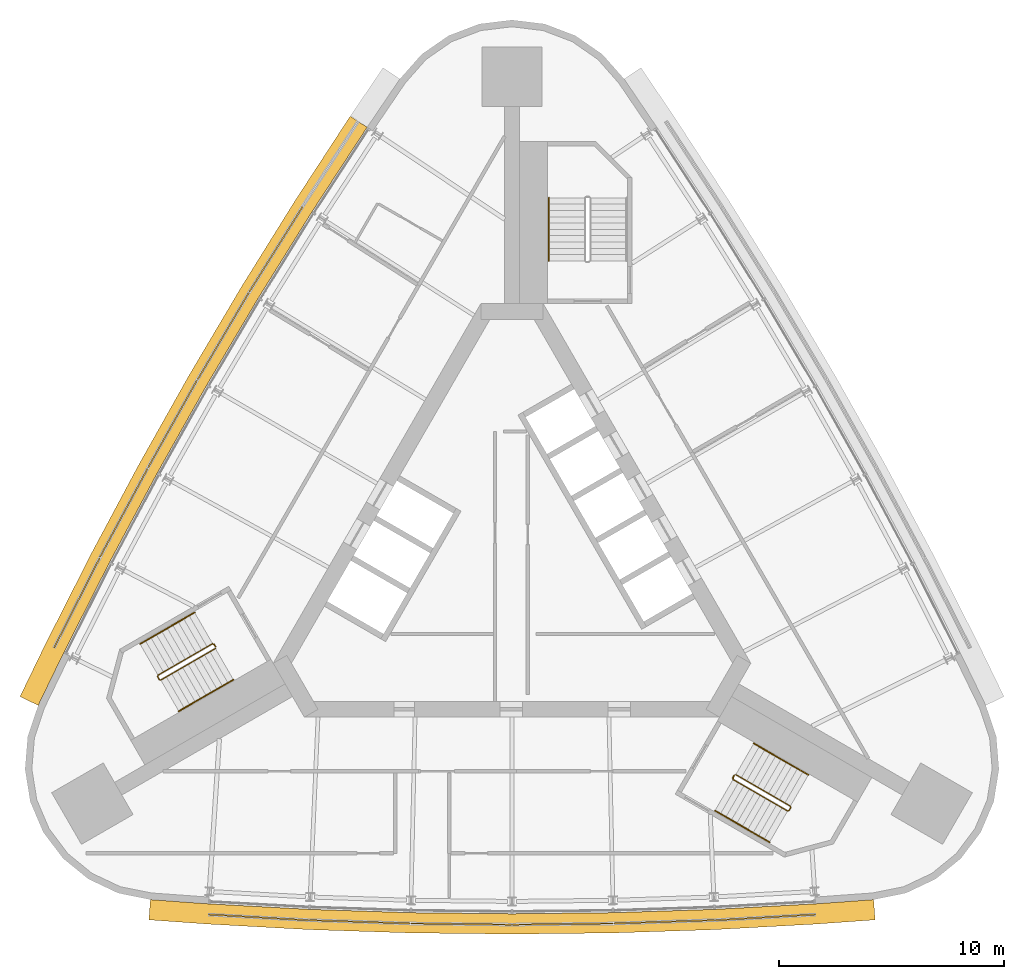
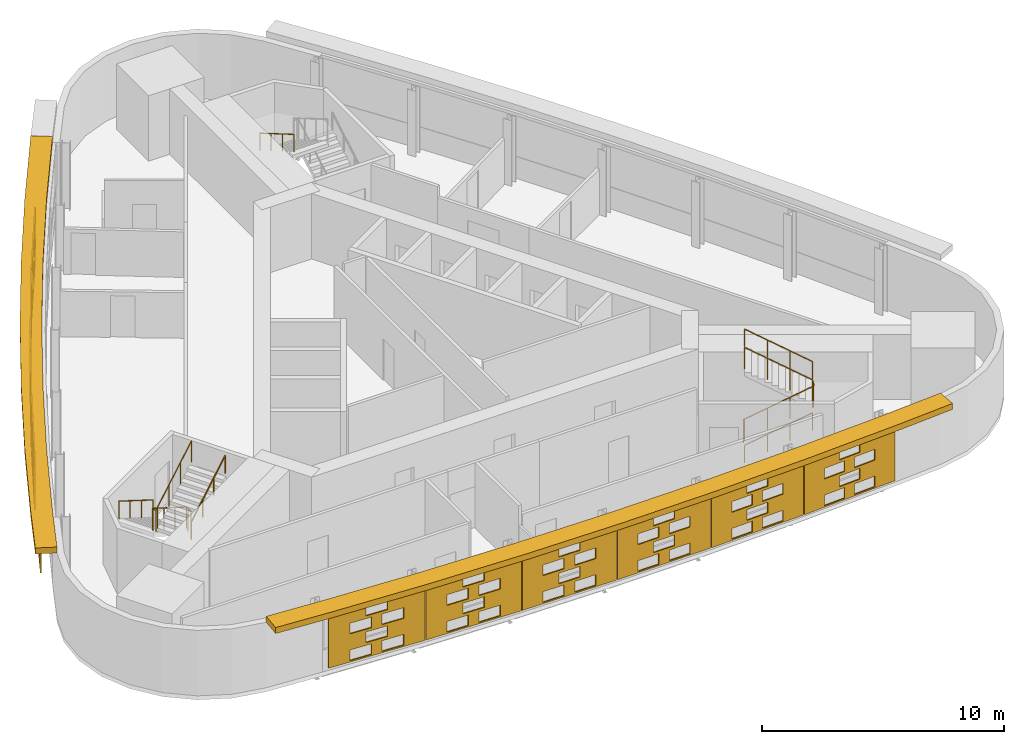
# One storey, part 10 of 11: 13 shading devices, 7 railings.
"""IFC4 building model written with IfcOpenShell, lengths in metres."""

import ifcopenshell
import ifcopenshell.guid

model = None  # the IFC model being written
_history = None  # IfcOwnerHistory: only IFC2X3 demands one
_inside = {}  # id of a spatial element -> (the spatial element, [elements in it])
_under = {}  # id of a project, library or spatial element -> (it, [spatial elements below it])
_declared = {}  # id of a project -> (the project, [libraries it declares])
_typed = {}  # id of a type object -> (the type object, [elements of that type])
_made_of = {}  # id of a material, layer set ... -> (it, [elements and type objects made of it])


def new_model(schema):
    """Start an empty IFC model of exactly this schema.

    Asked for "IFC4X3", IfcOpenShell would pick the latest addendum, in which some entities
    have other attributes; the version numbers below select the first issue.
    IFC2X3 requires an IfcOwnerHistory on every rooted entity: one is made here for all.
    """
    global model, _history
    if schema == "IFC4X3":
        model = ifcopenshell.file(schema_version=(4, 3, 0, 0))
    else:
        model = ifcopenshell.file(schema=schema)
    _inside.clear()
    _under.clear()
    _declared.clear()
    _typed.clear()
    _made_of.clear()
    _history = None
    if model.schema == "IFC2X3":
        org = make("IfcOrganization", Name="unknown")
        user = make(
            "IfcPersonAndOrganization",
            ThePerson=make("IfcPerson", FamilyName="unknown"),
            TheOrganization=org,
        )
        app = make(
            "IfcApplication",
            ApplicationDeveloper=org,
            Version="unknown",
            ApplicationFullName="unknown",
            ApplicationIdentifier="unknown",
        )
        _history = make(
            "IfcOwnerHistory",
            OwningUser=user,
            OwningApplication=app,
            ChangeAction="ADDED",
            CreationDate=0,
        )
    return model


def make(cls, **values):
    """One entity of the class cls with the attributes given. An attribute that is None is left unset."""
    return model.create_entity(
        cls, **{name: value for name, value in values.items() if value is not None}
    )


def rooted(cls, **values):
    """An entity with a GlobalId (a new one), such as an element, a storey or a relation."""
    return make(cls, GlobalId=ifcopenshell.guid.new(), OwnerHistory=_history, **values)


def si_unit(unit_type, name, prefix=None):
    """IfcSIUnit, for example si_unit("LENGTHUNIT", "METRE", prefix="MILLI")."""
    return make("IfcSIUnit", UnitType=unit_type, Prefix=prefix, Name=name)


def assignment(units):
    """IfcUnitAssignment: the units of a project."""
    return None if units is None else make("IfcUnitAssignment", Units=units)


def point(xyz):
    """IfcCartesianPoint."""
    return None if xyz is None else make("IfcCartesianPoint", Coordinates=xyz)


def direction(xyz):
    """IfcDirection."""
    return None if xyz is None else make("IfcDirection", DirectionRatios=xyz)


def frame(location, z_axis=None, x_axis=None):
    """IfcAxis2Placement3D, a coordinate frame: its origin and axes. An axis left out is left unset."""
    return make(
        "IfcAxis2Placement3D",
        Location=point(location),
        Axis=direction(z_axis),
        RefDirection=direction(x_axis),
    )


def frame_2d(location, x_axis=None):
    """IfcAxis2Placement2D, a coordinate frame in the plane: its origin and x axis."""
    return make(
        "IfcAxis2Placement2D", Location=point(location), RefDirection=direction(x_axis)
    )


def origin():
    """The frame at (0, 0, 0) with its axes left unset."""
    return frame((0.0, 0.0, 0.0))


def origin_2d():
    """The frame at (0, 0) in the plane with its x axis left unset."""
    return frame_2d((0.0, 0.0))


def place(relative_to, where):
    """IfcLocalPlacement: puts the frame where relative to a parent placement (None: the world)."""
    return make(
        "IfcLocalPlacement", PlacementRelTo=relative_to, RelativePlacement=where
    )


def context(
    kind, dimensions, precision=None, world=None, true_north=None, identifier=None
):
    """IfcGeometricRepresentationContext, for example the 3D "Model" context."""
    return make(
        "IfcGeometricRepresentationContext",
        ContextIdentifier=identifier,
        ContextType=kind,
        CoordinateSpaceDimension=dimensions,
        Precision=precision,
        WorldCoordinateSystem=world,
        TrueNorth=true_north,
    )


def subcontext(parent, identifier, kind, view, scale=None):
    """IfcGeometricRepresentationSubContext, for example "Body" below "Model"."""
    return make(
        "IfcGeometricRepresentationSubContext",
        ContextIdentifier=identifier,
        ContextType=kind,
        ParentContext=parent,
        TargetScale=scale,
        TargetView=view,
    )


def project(units=None, contexts=None):
    """IfcProject with its units and contexts."""
    return rooted(
        "IfcProject",
        Name="project",
        RepresentationContexts=contexts,
        UnitsInContext=assignment(units),
    )


def spatial(cls, under=None, at=None, **own):
    """A site, building, storey or space (cls), placed at a placement, below another one or the project."""
    s = rooted(cls, ObjectPlacement=at, **own)
    if under is not None:
        _under.setdefault(under.id(), (under, []))[1].append(s)
    return s


def polyline(points):
    """IfcPolyline through the points."""
    return make("IfcPolyline", Points=[point(p) for p in points])


def profile(cls, at=None, kind="AREA", **sizes):
    """A parametric profile (cls). Its sizes go by their IFC names, for example OverallWidth=200.0."""
    return make(cls, ProfileType=kind, Position=at, **sizes)


def circle(**sizes):
    """IfcCircleProfileDef."""
    return profile("IfcCircleProfileDef", **sizes)


def outline(outer, holes=None, kind="AREA"):
    """IfcArbitraryClosedProfileDef: a profile drawn as a closed curve; with holes, ...WithVoids."""
    if holes is None:
        return make("IfcArbitraryClosedProfileDef", ProfileType=kind, OuterCurve=outer)
    return make(
        "IfcArbitraryProfileDefWithVoids",
        ProfileType=kind,
        OuterCurve=outer,
        InnerCurves=holes,
    )


def extrude(swept, where, along, depth):
    """IfcExtrudedAreaSolid: the profile swept, set in the frame where, extruded along a direction by depth."""
    return make(
        "IfcExtrudedAreaSolid",
        SweptArea=swept,
        Position=where,
        ExtrudedDirection=direction(along),
        Depth=depth,
    )


def shape(context_of_items, identifier, shape_type, items):
    """IfcShapeRepresentation: the items that make up one representation, for example the "Body"."""
    return make(
        "IfcShapeRepresentation",
        ContextOfItems=context_of_items,
        RepresentationIdentifier=identifier,
        RepresentationType=shape_type,
        Items=items,
    )


def material(Name=None, Category=None):
    """IfcMaterial."""
    return make("IfcMaterial", Name=Name, Category=Category)


def material_profile(
    of_material, cross_section, Name=None, Category=None, Priority=None
):
    """IfcMaterialProfile: a cross section and its material."""
    return make(
        "IfcMaterialProfile",
        Name=Name,
        Material=of_material,
        Profile=cross_section,
        Priority=Priority,
        Category=Category,
    )


def profile_set(profiles, Name=None, composite=None):
    """IfcMaterialProfileSet."""
    return make(
        "IfcMaterialProfileSet",
        Name=Name,
        MaterialProfiles=profiles,
        CompositeProfile=composite,
    )


def made_of(thing, what):
    """Note that an element or type object is made of a material, layer set ...; save() writes the relation."""
    if what is not None:
        _made_of.setdefault(what.id(), (what, []))[1].append(thing)
    return thing


def type_object(cls, material=None, **own):
    """A type object (cls), such as IfcWallType, which elements share."""
    return made_of(rooted(cls, **own), material)


def element(
    cls,
    number,
    at=None,
    inside=None,
    cuts=None,
    type_object=None,
    material=None,
    context=None,
    identifier="Body",
    shape_type=None,
    held_by="IfcProductDefinitionShape",
    body=None,
    shapes=None,
    **own,
):
    """One element of the class cls, such as IfcWall. Its Tag is "e" and its number.

    at: its placement. inside: the storey or other place that contains it. cuts: it is an
    opening in that element (IfcRelVoidsElement). A single representation is given by context,
    identifier, shape_type and body (its items); several are given by shapes. held_by: the class
    of the entity that holds the representations. save() writes the other relations.
    """
    e = rooted(cls, Tag="e%d" % number, ObjectPlacement=at, **own)
    if body is not None:
        shapes = [shape(context, identifier, shape_type, body)]
    if shapes is not None:
        e.Representation = make(held_by, Representations=shapes)
    if inside is not None:
        _inside.setdefault(inside.id(), (inside, []))[1].append(e)
    if cuts is not None:
        rooted(
            "IfcRelVoidsElement", RelatingBuildingElement=cuts, RelatedOpeningElement=e
        )
    if type_object is not None:
        _typed.setdefault(type_object.id(), (type_object, []))[1].append(e)
    return made_of(e, material)


def aggregate(whole, parts):
    """IfcRelAggregates: a whole, such as a stair, and the parts it consists of."""
    return rooted("IfcRelAggregates", RelatingObject=whole, RelatedObjects=parts)


def save(model, path):
    """Write the relations noted so far, then the file.

    IfcRelAggregates (storeys below a building ...), IfcRelContainedInSpatialStructure (elements
    in a storey), IfcRelDefinesByType, IfcRelAssociatesMaterial and IfcRelDeclares: one each for
    every whole, place, type object, material and project.
    """
    for whole, parts in _under.values():
        aggregate(whole, parts)
    for where, things in _inside.values():
        rooted(
            "IfcRelContainedInSpatialStructure",
            RelatedElements=things,
            RelatingStructure=where,
        )
    for kind, things in _typed.values():
        rooted("IfcRelDefinesByType", RelatedObjects=things, RelatingType=kind)
    for what, things in _made_of.values():
        rooted("IfcRelAssociatesMaterial", RelatedObjects=things, RelatingMaterial=what)
    for by, libraries in _declared.values():
        rooted("IfcRelDeclares", RelatingContext=by, RelatedDefinitions=libraries)
    model.write(path)


model = new_model("IFC4")

# Units and contexts
model_context = context("Model", 3, precision=1e-05, world=origin(), true_north=direction((0.0, 1.0)))
body_context = subcontext(model_context, "Body", "Model", "MODEL_VIEW")
ifc_project = project(units=[si_unit("LENGTHUNIT", "METRE"), si_unit("AREAUNIT", "SQUARE_METRE"), si_unit("VOLUMEUNIT", "CUBIC_METRE"), si_unit("PLANEANGLEUNIT", "RADIAN"), si_unit("MASSUNIT", "GRAM", prefix="KILO")], contexts=[model_context])

# Site, building, storey
site_placement = place(None, origin())
site = spatial("IfcSite", under=ifc_project, at=site_placement, CompositionType="ELEMENT")
building_placement = place(site_placement, origin())
building = spatial("IfcBuilding", under=site, at=building_placement, Name="Noor Cloister Tower", CompositionType="ELEMENT")
storey_placement = place(building_placement, frame((0.0, 0.0, 206.699951171875)))
storey = spatial("IfcBuildingStorey", under=building, at=storey_placement, Name="L53", CompositionType="ELEMENT", Elevation=206.699951171875)

# Shading devices
ifc_material_1 = material(Name="Limestone", Category="masonry")
ifc_material_profile = material_profile(ifc_material_1, outline(polyline([(-2.22998046875, -1.35009765625), (2.22998046875, -1.35009765625), (2.22998046875, 1.35009765625), (-2.22998046875, 1.35009765625), (-2.22998046875, -1.35009765625)]), holes=[polyline([(-1.25, -1.282470703125), (-0.25, -1.282470703125), (-0.25, -0.742431640625), (-1.25, -0.742431640625), (-1.25, -1.282470703125)]), polyline([(0.25, -1.282470703125), (1.25, -1.282470703125), (1.25, -0.742431640625), (0.25, -0.742431640625), (0.25, -1.282470703125)]), polyline([(-0.5, -0.607421875), (0.5, -0.607421875), (0.5, -0.0673828125), (-0.5, -0.0673828125), (-0.5, -0.607421875)]), polyline([(-1.25, 0.0673828125), (-0.25, 0.0673828125), (-0.25, 0.607421875), (-1.25, 0.607421875), (-1.25, 0.0673828125)]), polyline([(0.25, 0.0673828125), (1.25, 0.0673828125), (1.25, 0.607421875), (0.25, 0.607421875), (0.25, 0.0673828125)]), polyline([(-0.5, 0.742431640625), (0.5, 0.742431640625), (0.5, 1.282470703125), (-0.5, 1.282470703125), (-0.5, 0.742431640625)])]), Name="Woven screen 32 percent open")
ifc_profile_set = profile_set([ifc_material_profile], Name="Limestone")
shading_device_type_1 = type_object("IfcShadingDeviceType", Name="SCREEN woven limestone 32 percent open", PredefinedType="USERDEFINED", material=ifc_profile_set)
shading_device_1_placement = place(storey_placement, frame((-10.46923828125, 13.853759765625, 1.85009765625), z_axis=(-0.847998304005, 0.529998940003, 0.0), x_axis=(-0.529998940003, -0.847998304005, 0.0)))
element("IfcShadingDevice", 1, at=shading_device_1_placement, inside=storey, type_object=shading_device_type_1, Name="SCREEN L53 2", ObjectType="SCREEN", PredefinedType="USERDEFINED", context=body_context, shape_type="SweptSolid", body=[
    extrude(outline(polyline([(-2.22998046875, -1.35009765625), (2.22998046875, -1.35009765625), (2.22998046875, 1.35009765625), (-2.22998046875, 1.35009765625), (-2.22998046875, -1.35009765625)]), holes=[polyline([(-1.25, -1.282470703125), (-0.25, -1.282470703125), (-0.25, -0.742431640625), (-1.25, -0.742431640625), (-1.25, -1.282470703125)]), polyline([(0.25, -1.282470703125), (1.25, -1.282470703125), (1.25, -0.742431640625), (0.25, -0.742431640625), (0.25, -1.282470703125)]), polyline([(-0.5, -0.607421875), (0.5, -0.607421875), (0.5, -0.0673828125), (-0.5, -0.0673828125), (-0.5, -0.607421875)]), polyline([(-1.25, 0.0673828125), (-0.25, 0.0673828125), (-0.25, 0.607421875), (-1.25, 0.607421875), (-1.25, 0.0673828125)]), polyline([(0.25, 0.0673828125), (1.25, 0.0673828125), (1.25, 0.607421875), (0.25, 0.607421875), (0.25, 0.0673828125)]), polyline([(-0.5, 0.742431640625), (0.5, 0.742431640625), (0.5, 1.282470703125), (-0.5, 1.282470703125), (-0.5, 0.742431640625)])]), origin(), (0.0, 0.0, 1.0), 0.059814453125),
])
shading_device_2_placement = place(storey_placement, frame((-12.808837890625, 9.998779296875, 1.85009765625), z_axis=(-0.86141148773, 0.507907716822, 0.0), x_axis=(-0.507907716822, -0.86141148773, 0.0)))
element("IfcShadingDevice", 2, at=shading_device_2_placement, inside=storey, type_object=shading_device_type_1, Name="SCREEN L53 3", ObjectType="SCREEN", PredefinedType="USERDEFINED", context=body_context, shape_type="SweptSolid", body=[
    extrude(outline(polyline([(-2.22998046875, -1.35009765625), (2.22998046875, -1.35009765625), (2.22998046875, 1.35009765625), (-2.22998046875, 1.35009765625), (-2.22998046875, -1.35009765625)]), holes=[polyline([(-1.25, -1.282470703125), (-0.25, -1.282470703125), (-0.25, -0.742431640625), (-1.25, -0.742431640625), (-1.25, -1.282470703125)]), polyline([(0.25, -1.282470703125), (1.25, -1.282470703125), (1.25, -0.742431640625), (0.25, -0.742431640625), (0.25, -1.282470703125)]), polyline([(-0.5, -0.607421875), (0.5, -0.607421875), (0.5, -0.0673828125), (-0.5, -0.0673828125), (-0.5, -0.607421875)]), polyline([(-1.25, 0.0673828125), (-0.25, 0.0673828125), (-0.25, 0.607421875), (-1.25, 0.607421875), (-1.25, 0.0673828125)]), polyline([(0.25, 0.0673828125), (1.25, 0.0673828125), (1.25, 0.607421875), (0.25, 0.607421875), (0.25, 0.0673828125)]), polyline([(-0.5, 0.742431640625), (0.5, 0.742431640625), (0.5, 1.282470703125), (-0.5, 1.282470703125), (-0.5, 0.742431640625)])]), origin(), (0.0, 0.0, 1.0), 0.06005859375),
])
for number, where, z_axis, x_axis, name in (
    (3, (-15.063720703125, 6.093505859375, 1.85009765625), (-0.872227864306, 0.489099736994, 0.0), (-0.489099736994, -0.872227864306, 0.0), "SCREEN L53 4"),
    (4, (-17.232421875, 2.1396484375, 1.85009765625), (-0.880994429299, 0.473126637957, 0.0), (-0.473126637957, -0.880994429299, 0.0), "SCREEN L53 5"),
):
    element("IfcShadingDevice", number, at=place(storey_placement, frame(where, z_axis=z_axis, x_axis=x_axis)), inside=storey, type_object=shading_device_type_1, Name=name, ObjectType="SCREEN", PredefinedType="USERDEFINED", context=body_context, shape_type="SweptSolid", body=[
        extrude(outline(polyline([(-2.22998046875, -1.35009765625), (2.22998046875, -1.35009765625), (2.22998046875, 1.35009765625), (-2.22998046875, 1.35009765625), (-2.22998046875, -1.35009765625)]), holes=[polyline([(-1.25, -1.282470703125), (-0.25, -1.282470703125), (-0.25, -0.742431640625), (-1.25, -0.742431640625), (-1.25, -1.282470703125)]), polyline([(0.25, -1.282470703125), (1.25, -1.282470703125), (1.25, -0.742431640625), (0.25, -0.742431640625), (0.25, -1.282470703125)]), polyline([(-0.5, -0.607421875), (0.5, -0.607421875), (0.5, -0.0673828125), (-0.5, -0.0673828125), (-0.5, -0.607421875)]), polyline([(-1.25, 0.0673828125), (-0.25, 0.0673828125), (-0.25, 0.607421875), (-1.25, 0.607421875), (-1.25, 0.0673828125)]), polyline([(0.25, 0.0673828125), (1.25, 0.0673828125), (1.25, 0.607421875), (0.25, 0.607421875), (0.25, 0.0673828125)]), polyline([(-0.5, 0.742431640625), (0.5, 0.742431640625), (0.5, 1.282470703125), (-0.5, 1.282470703125), (-0.5, 0.742431640625)])]), origin(), (0.0, 0.0, 1.0), 0.059814453125),
    ])
shading_device_3_placement = place(storey_placement, frame((-19.31396484375, -1.860595703125, 1.85009765625), z_axis=(-0.891970083601, 0.452094425935, 0.0), x_axis=(-0.452094425935, -0.891970083601, 0.0)))
element("IfcShadingDevice", 5, at=shading_device_3_placement, inside=storey, type_object=shading_device_type_1, Name="SCREEN L53 6", ObjectType="SCREEN", PredefinedType="USERDEFINED", context=body_context, shape_type="SweptSolid", body=[
    extrude(outline(polyline([(-2.22998046875, -1.35009765625), (2.22998046875, -1.35009765625), (2.22998046875, 1.35009765625), (-2.22998046875, 1.35009765625), (-2.22998046875, -1.35009765625)]), holes=[polyline([(-1.25, -1.282470703125), (-0.25, -1.282470703125), (-0.25, -0.742431640625), (-1.25, -0.742431640625), (-1.25, -1.282470703125)]), polyline([(0.25, -1.282470703125), (1.25, -1.282470703125), (1.25, -0.742431640625), (0.25, -0.742431640625), (0.25, -1.282470703125)]), polyline([(-0.5, -0.607421875), (0.5, -0.607421875), (0.5, -0.0673828125), (-0.5, -0.0673828125), (-0.5, -0.607421875)]), polyline([(-1.25, 0.0673828125), (-0.25, 0.0673828125), (-0.25, 0.607421875), (-1.25, 0.607421875), (-1.25, 0.0673828125)]), polyline([(0.25, 0.0673828125), (1.25, 0.0673828125), (1.25, 0.607421875), (0.25, 0.607421875), (0.25, 0.0673828125)]), polyline([(-0.5, 0.742431640625), (0.5, 0.742431640625), (0.5, 1.282470703125), (-0.5, 1.282470703125), (-0.5, 0.742431640625)])]), origin(), (0.0, 0.0, 1.0), 0.06005859375),
])
shading_device_4_placement = place(storey_placement, frame((-11.268310546875, -15.796142578125, 1.85009765625), z_axis=(-0.057049790539, -0.998371334424, 0.0), x_axis=(0.998371334424, -0.057049790539, 0.0)))
element("IfcShadingDevice", 6, at=shading_device_4_placement, inside=storey, type_object=shading_device_type_1, Name="SCREEN L53 1", ObjectType="SCREEN", PredefinedType="USERDEFINED", context=body_context, shape_type="SweptSolid", body=[
    extrude(outline(polyline([(-2.22998046875, -1.35009765625), (2.22998046875, -1.35009765625), (2.22998046875, 1.35009765625), (-2.22998046875, 1.35009765625), (-2.22998046875, -1.35009765625)]), holes=[polyline([(-1.25, -1.282470703125), (-0.25, -1.282470703125), (-0.25, -0.742431640625), (-1.25, -0.742431640625), (-1.25, -1.282470703125)]), polyline([(0.25, -1.282470703125), (1.25, -1.282470703125), (1.25, -0.742431640625), (0.25, -0.742431640625), (0.25, -1.282470703125)]), polyline([(-0.5, -0.607421875), (0.5, -0.607421875), (0.5, -0.0673828125), (-0.5, -0.0673828125), (-0.5, -0.607421875)]), polyline([(-1.25, 0.0673828125), (-0.25, 0.0673828125), (-0.25, 0.607421875), (-1.25, 0.607421875), (-1.25, 0.0673828125)]), polyline([(0.25, 0.0673828125), (1.25, 0.0673828125), (1.25, 0.607421875), (0.25, 0.607421875), (0.25, 0.0673828125)]), polyline([(-0.5, 0.742431640625), (0.5, 0.742431640625), (0.5, 1.282470703125), (-0.5, 1.282470703125), (-0.5, 0.742431640625)])]), origin(), (0.0, 0.0, 1.0), 0.059814453125),
])
shading_device_5_placement = place(storey_placement, frame((-6.76318359375, -15.993408203125, 1.85009765625), z_axis=(-0.032503142546, -0.999471633277, 0.0), x_axis=(0.999471633277, -0.032503142546, 0.0)))
element("IfcShadingDevice", 7, at=shading_device_5_placement, inside=storey, type_object=shading_device_type_1, Name="SCREEN L53 2", ObjectType="SCREEN", PredefinedType="USERDEFINED", context=body_context, shape_type="SweptSolid", body=[
    extrude(outline(polyline([(-2.22998046875, -1.35009765625), (2.22998046875, -1.35009765625), (2.22998046875, 1.35009765625), (-2.22998046875, 1.35009765625), (-2.22998046875, -1.35009765625)]), holes=[polyline([(-1.25, -1.282470703125), (-0.25, -1.282470703125), (-0.25, -0.742431640625), (-1.25, -0.742431640625), (-1.25, -1.282470703125)]), polyline([(0.25, -1.282470703125), (1.25, -1.282470703125), (1.25, -0.742431640625), (0.25, -0.742431640625), (0.25, -1.282470703125)]), polyline([(-0.5, -0.607421875), (0.5, -0.607421875), (0.5, -0.0673828125), (-0.5, -0.0673828125), (-0.5, -0.607421875)]), polyline([(-1.25, 0.0673828125), (-0.25, 0.0673828125), (-0.25, 0.607421875), (-1.25, 0.607421875), (-1.25, 0.0673828125)]), polyline([(0.25, 0.0673828125), (1.25, 0.0673828125), (1.25, 0.607421875), (0.25, 0.607421875), (0.25, 0.0673828125)]), polyline([(-0.5, 0.742431640625), (0.5, 0.742431640625), (0.5, 1.282470703125), (-0.5, 1.282470703125), (-0.5, 0.742431640625)])]), origin(), (0.0, 0.0, 1.0), 0.06005859375),
])
for number, where, z_axis, x_axis, name in (
    (8, (-2.254638671875, -16.09228515625, 1.85009765625), (-0.012243980078, -0.999925039666, 0.0), (0.999925039666, -0.012243980078, 0.0), "SCREEN L53 3"),
    (9, (2.254638671875, -16.09228515625, 1.85009765625), (0.012243980078, -0.999925039666, 0.0), (0.999925039666, 0.012243980078, 0.0), "SCREEN L53 4"),
):
    element("IfcShadingDevice", number, at=place(storey_placement, frame(where, z_axis=z_axis, x_axis=x_axis)), inside=storey, type_object=shading_device_type_1, Name=name, ObjectType="SCREEN", PredefinedType="USERDEFINED", context=body_context, shape_type="SweptSolid", body=[
        extrude(outline(polyline([(-2.22998046875, -1.35009765625), (2.22998046875, -1.35009765625), (2.22998046875, 1.35009765625), (-2.22998046875, 1.35009765625), (-2.22998046875, -1.35009765625)]), holes=[polyline([(-1.25, -1.282470703125), (-0.25, -1.282470703125), (-0.25, -0.742431640625), (-1.25, -0.742431640625), (-1.25, -1.282470703125)]), polyline([(0.25, -1.282470703125), (1.25, -1.282470703125), (1.25, -0.742431640625), (0.25, -0.742431640625), (0.25, -1.282470703125)]), polyline([(-0.5, -0.607421875), (0.5, -0.607421875), (0.5, -0.0673828125), (-0.5, -0.0673828125), (-0.5, -0.607421875)]), polyline([(-1.25, 0.0673828125), (-0.25, 0.0673828125), (-0.25, 0.607421875), (-1.25, 0.607421875), (-1.25, 0.0673828125)]), polyline([(0.25, 0.0673828125), (1.25, 0.0673828125), (1.25, 0.607421875), (0.25, 0.607421875), (0.25, 0.0673828125)]), polyline([(-0.5, 0.742431640625), (0.5, 0.742431640625), (0.5, 1.282470703125), (-0.5, 1.282470703125), (-0.5, 0.742431640625)])]), origin(), (0.0, 0.0, 1.0), 0.059814453125),
    ])
shading_device_6_placement = place(storey_placement, frame((6.76318359375, -15.993408203125, 1.85009765625), z_axis=(0.032503142546, -0.999471633277, 0.0), x_axis=(0.999471633277, 0.032503142546, 0.0)))
element("IfcShadingDevice", 10, at=shading_device_6_placement, inside=storey, type_object=shading_device_type_1, Name="SCREEN L53 5", ObjectType="SCREEN", PredefinedType="USERDEFINED", context=body_context, shape_type="SweptSolid", body=[
    extrude(outline(polyline([(-2.22998046875, -1.35009765625), (2.22998046875, -1.35009765625), (2.22998046875, 1.35009765625), (-2.22998046875, 1.35009765625), (-2.22998046875, -1.35009765625)]), holes=[polyline([(-1.25, -1.282470703125), (-0.25, -1.282470703125), (-0.25, -0.742431640625), (-1.25, -0.742431640625), (-1.25, -1.282470703125)]), polyline([(0.25, -1.282470703125), (1.25, -1.282470703125), (1.25, -0.742431640625), (0.25, -0.742431640625), (0.25, -1.282470703125)]), polyline([(-0.5, -0.607421875), (0.5, -0.607421875), (0.5, -0.0673828125), (-0.5, -0.0673828125), (-0.5, -0.607421875)]), polyline([(-1.25, 0.0673828125), (-0.25, 0.0673828125), (-0.25, 0.607421875), (-1.25, 0.607421875), (-1.25, 0.0673828125)]), polyline([(0.25, 0.0673828125), (1.25, 0.0673828125), (1.25, 0.607421875), (0.25, 0.607421875), (0.25, 0.0673828125)]), polyline([(-0.5, 0.742431640625), (0.5, 0.742431640625), (0.5, 1.282470703125), (-0.5, 1.282470703125), (-0.5, 0.742431640625)])]), origin(), (0.0, 0.0, 1.0), 0.06005859375),
])
shading_device_7_placement = place(storey_placement, frame((11.268310546875, -15.796142578125, 1.85009765625), z_axis=(0.057049790539, -0.998371334424, 0.0), x_axis=(0.998371334424, 0.057049790539, 0.0)))
element("IfcShadingDevice", 11, at=shading_device_7_placement, inside=storey, type_object=shading_device_type_1, Name="SCREEN L53 6", ObjectType="SCREEN", PredefinedType="USERDEFINED", context=body_context, shape_type="SweptSolid", body=[
    extrude(outline(polyline([(-2.22998046875, -1.35009765625), (2.22998046875, -1.35009765625), (2.22998046875, 1.35009765625), (-2.22998046875, 1.35009765625), (-2.22998046875, -1.35009765625)]), holes=[polyline([(-1.25, -1.282470703125), (-0.25, -1.282470703125), (-0.25, -0.742431640625), (-1.25, -0.742431640625), (-1.25, -1.282470703125)]), polyline([(0.25, -1.282470703125), (1.25, -1.282470703125), (1.25, -0.742431640625), (0.25, -0.742431640625), (0.25, -1.282470703125)]), polyline([(-0.5, -0.607421875), (0.5, -0.607421875), (0.5, -0.0673828125), (-0.5, -0.0673828125), (-0.5, -0.607421875)]), polyline([(-1.25, 0.0673828125), (-0.25, 0.0673828125), (-0.25, 0.607421875), (-1.25, 0.607421875), (-1.25, 0.0673828125)]), polyline([(0.25, 0.0673828125), (1.25, 0.0673828125), (1.25, 0.607421875), (0.25, 0.607421875), (0.25, 0.0673828125)]), polyline([(-0.5, 0.742431640625), (0.5, 0.742431640625), (0.5, 1.282470703125), (-0.5, 1.282470703125), (-0.5, 0.742431640625)])]), origin(), (0.0, 0.0, 1.0), 0.059814453125),
])
ifc_material_2 = material(Name="Limestone", Category="masonry")
shading_device_type_2 = type_object("IfcShadingDeviceType", Name="SUNSHADE limestone band 900", PredefinedType="USERDEFINED", material=ifc_material_2)
shading_device_8_placement = place(storey_placement, frame((0.0, 0.0, 3.300048828125)))
element("IfcShadingDevice", 12, at=shading_device_8_placement, inside=storey, type_object=shading_device_type_2, Name="SUNSHADE L53 1", ObjectType="SUNSHADE", PredefinedType="USERDEFINED", context=body_context, shape_type="SweptSolid", body=[
    extrude(outline(polyline([(-7.192626953125, 19.786865234375), (-9.65771484375, 16.010498046875), (-12.044921875, 12.172607421875), (-14.347412109375, 8.283447265625), (-16.564208984375, 4.344970703125), (-18.6943359375, 0.358642578125), (-20.735595703125, -3.67138671875), (-21.8701171875, -6.010009765625), (-21.060302734375, -6.40283203125), (-19.92919921875, -4.071044921875), (-17.895751953125, -0.056884765625), (-15.775146484375, 3.912109375), (-13.56787109375, 7.83349609375), (-11.275390625, 11.70556640625), (-8.898681640625, 15.526611328125), (-6.43896484375, 19.294677734375), (-7.192626953125, 19.786865234375)])), origin(), (0.0, 0.0, 1.0), 0.300048828125),
])
shading_device_9_placement = place(storey_placement, frame((0.0, 0.0, 3.300048828125)))
element("IfcShadingDevice", 13, at=shading_device_9_placement, inside=storey, type_object=shading_device_type_2, Name="SUNSHADE L53 2", ObjectType="SUNSHADE", PredefinedType="USERDEFINED", context=body_context, shape_type="SweptSolid", body=[
    extrude(outline(polyline([(-16.1396484375, -15.93505859375), (-13.54736328125, -16.121826171875), (-9.03662109375, -16.369140625), (-4.519287109375, -16.517333984375), (0.0, -16.56689453125), (4.519287109375, -16.517333984375), (9.03662109375, -16.369140625), (13.54736328125, -16.121826171875), (16.1396484375, -15.93505859375), (16.074951171875, -15.037353515625), (13.490234375, -15.2236328125), (8.9970703125, -15.469970703125), (4.499755859375, -15.61767578125), (0.0, -15.666748046875), (-4.499755859375, -15.61767578125), (-8.9970703125, -15.469970703125), (-13.490234375, -15.2236328125), (-16.074951171875, -15.037353515625), (-16.1396484375, -15.93505859375)])), origin(), (0.0, 0.0, 1.0), 0.300048828125),
])

# Railings
ifc_material_3 = material(Name="Stainless steel", Category="steel")
railing_type_1 = type_object("IfcRailingType", Name="Stair guard 1100", PredefinedType="GUARDRAIL", material=ifc_material_3)
railing_1_placement = place(storey_placement, frame((-13.241455078125, -3.677734375, 0.0)))
element("IfcRailing", 14, at=railing_1_placement, inside=storey, type_object=railing_type_1, Name="Stair guard ST2 L53", PredefinedType="GUARDRAIL", context=body_context, shape_type="SweptSolid", body=[
    extrude(circle(Radius=0.02392578125, at=origin_2d()), frame((0.0, 0.0, 1.076171875), z_axis=(0.499112439033, -0.866537231285, 0.0), x_axis=(0.866537231285, 0.499112439033, 0.0)), (0.0, 0.0, 1.0), 0.150146484375),
    extrude(circle(Radius=0.02392578125, at=origin_2d()), frame((0.074951171875, -0.130126953125, 1.076171875), z_axis=(-0.544565797804, 0.563119998752, 0.621565731736), x_axis=(-0.718850276695, -0.695164929852, 0.0)), (0.0, 0.0, 1.0), 0.26318359375),
    extrude(circle(Radius=0.02392578125, at=origin_2d()), frame((-0.068359375, 0.01806640625, 1.23974609375), z_axis=(-0.747689811644, -0.431660630283, 0.504607813879), x_axis=(0.49998411664, -0.866034573852, 0.0)), (0.0, 0.0, 1.0), 3.2431640625),
    extrude(circle(Radius=0.02392578125, at=origin_2d()), frame((-2.4931640625, -1.3818359375, 2.8759765625), z_axis=(-0.258736085224, -0.965948051503, 0.0), x_axis=(0.965948051503, -0.258736085224, 0.0)), (0.0, 0.0, 1.0), 0.07080078125),
    extrude(circle(Radius=0.02392578125, at=origin_2d()), frame((-2.511474609375, -1.4501953125, 2.8759765625), z_axis=(0.499816412211, -0.866131372301, 0.0), x_axis=(0.866131372301, 0.499816412211, 0.0)), (0.0, 0.0, 1.0), 0.14990234375),
    extrude(circle(Radius=0.02392578125, at=origin_2d()), frame((-2.4365234375, -1.580078125, 2.8759765625), z_axis=(0.383552647116, -0.102737316192, 0.917786691313), x_axis=(0.258736085224, 0.965948051503, 0.0)), (0.0, 0.0, 1.0), 0.17822265625),
    extrude(circle(Radius=0.02392578125, at=origin_2d()), frame((-2.3681640625, -1.598388671875, 3.03955078125), z_axis=(0.747665513933, 0.431721881032, 0.504591415616), x_axis=(-0.500049511043, 0.865996816683, 0.0)), (0.0, 0.0, 1.0), 3.2431640625),
    extrude(circle(Radius=0.02099609375, at=origin_2d()), origin(), (0.0, 0.0, 1.0), 1.052001953125),
    extrude(circle(Radius=0.02099609375, at=origin_2d()), frame((0.074951171875, -0.130126953125, 0.0)), (0.0, 0.0, 1.0), 1.052001953125),
    extrude(circle(Radius=0.02099609375, at=origin_2d()), frame((-0.068359375, 0.01806640625, 0.16357421875)), (0.0, 0.0, 1.0), 1.052001953125),
    extrude(circle(Radius=0.02099609375, at=origin_2d()), frame((-0.876708984375, -0.448486328125, 0.708984375)), (0.0, 0.0, 1.0), 1.052001953125),
    extrude(circle(Radius=0.02099609375, at=origin_2d()), frame((-1.684814453125, -0.915283203125, 1.254638671875)), (0.0, 0.0, 1.0), 1.052001953125),
    extrude(circle(Radius=0.02099609375, at=origin_2d()), frame((-2.4931640625, -1.3818359375, 1.800048828125)), (0.0, 0.0, 1.0), 1.052001953125),
    extrude(circle(Radius=0.02099609375, at=origin_2d()), frame((-2.511474609375, -1.4501953125, 1.800048828125)), (0.0, 0.0, 1.0), 1.052001953125),
    extrude(circle(Radius=0.02099609375, at=origin_2d()), frame((-2.4365234375, -1.580078125, 1.800048828125)), (0.0, 0.0, 1.0), 1.052001953125),
    extrude(circle(Radius=0.02099609375, at=origin_2d()), frame((-2.3681640625, -1.598388671875, 1.963623046875)), (0.0, 0.0, 1.0), 1.052001953125),
    extrude(circle(Radius=0.02099609375, at=origin_2d()), frame((-1.559814453125, -1.131591796875, 2.509033203125)), (0.0, 0.0, 1.0), 1.052001953125),
    extrude(circle(Radius=0.02099609375, at=origin_2d()), frame((-0.751708984375, -0.6650390625, 3.0546875)), (0.0, 0.0, 1.0), 1.052001953125),
    extrude(circle(Radius=0.02099609375, at=origin_2d()), frame((0.056640625, -0.1982421875, 3.60009765625)), (0.0, 0.0, 1.0), 1.052001953125),
])
railing_2_placement = place(storey_placement, frame((9.805908203125, -9.628662109375, 0.0)))
element("IfcRailing", 15, at=railing_2_placement, inside=storey, type_object=railing_type_1, Name="Stair guard ST3 L53", PredefinedType="GUARDRAIL", context=body_context, shape_type="SweptSolid", body=[
    extrude(circle(Radius=0.02392578125, at=origin_2d()), frame((0.0, 0.0, 1.076171875), z_axis=(0.499112439033, 0.866537231285, 0.0), x_axis=(-0.866537231285, 0.499112439033, 0.0)), (0.0, 0.0, 1.0), 0.150146484375),
    extrude(circle(Radius=0.02392578125, at=origin_2d()), frame((0.074951171875, 0.130126953125, 1.076171875), z_axis=(-0.215214839654, -0.753251938789, 0.621525614518), x_axis=(0.961523947641, -0.274721127897, 0.0)), (0.0, 0.0, 1.0), 0.26318359375),
    extrude(circle(Radius=0.02392578125, at=origin_2d()), frame((0.018310546875, -0.068115234375, 1.23974609375), z_axis=(0.747665513933, -0.431721881032, 0.504591415616), x_axis=(0.500049511043, 0.865996816683, 0.0)), (0.0, 0.0, 1.0), 3.2431640625),
    extrude(circle(Radius=0.02392578125, at=origin_2d()), frame((2.443115234375, -1.46826171875, 2.8759765625), z_axis=(0.965948051503, 0.258736085224, 0.0), x_axis=(-0.258736085224, 0.965948051503, 0.0)), (0.0, 0.0, 1.0), 0.07080078125),
    extrude(circle(Radius=0.02392578125, at=origin_2d()), frame((2.511474609375, -1.449951171875, 2.8759765625), z_axis=(0.499816412211, 0.866131372301, 0.0), x_axis=(-0.866131372301, 0.499816412211, 0.0)), (0.0, 0.0, 1.0), 0.14990234375),
    extrude(circle(Radius=0.02392578125, at=origin_2d()), frame((2.58642578125, -1.320068359375, 2.8759765625), z_axis=(-0.102737316192, 0.383552647116, 0.917786691313), x_axis=(-0.965948051503, -0.258736085224, 0.0)), (0.0, 0.0, 1.0), 0.17822265625),
    extrude(circle(Radius=0.02392578125, at=origin_2d()), frame((2.568115234375, -1.251708984375, 3.03955078125), z_axis=(-0.747689811644, 0.431660630283, 0.504607813879), x_axis=(-0.49998411664, -0.866034573852, 0.0)), (0.0, 0.0, 1.0), 3.2431640625),
    extrude(circle(Radius=0.02099609375, at=origin_2d()), origin(), (0.0, 0.0, 1.0), 1.052001953125),
    extrude(circle(Radius=0.02099609375, at=origin_2d()), frame((0.074951171875, 0.130126953125, 0.0)), (0.0, 0.0, 1.0), 1.052001953125),
    extrude(circle(Radius=0.02099609375, at=origin_2d()), frame((0.018310546875, -0.068115234375, 0.16357421875)), (0.0, 0.0, 1.0), 1.052001953125),
    extrude(circle(Radius=0.02099609375, at=origin_2d()), frame((0.82666015625, -0.534912109375, 0.708984375)), (0.0, 0.0, 1.0), 1.052001953125),
    extrude(circle(Radius=0.02099609375, at=origin_2d()), frame((1.634765625, -1.00146484375, 1.254638671875)), (0.0, 0.0, 1.0), 1.052001953125),
    extrude(circle(Radius=0.02099609375, at=origin_2d()), frame((2.443115234375, -1.46826171875, 1.800048828125)), (0.0, 0.0, 1.0), 1.052001953125),
    extrude(circle(Radius=0.02099609375, at=origin_2d()), frame((2.511474609375, -1.449951171875, 1.800048828125)), (0.0, 0.0, 1.0), 1.052001953125),
    extrude(circle(Radius=0.02099609375, at=origin_2d()), frame((2.58642578125, -1.320068359375, 1.800048828125)), (0.0, 0.0, 1.0), 1.052001953125),
    extrude(circle(Radius=0.02099609375, at=origin_2d()), frame((2.568115234375, -1.251708984375, 1.963623046875)), (0.0, 0.0, 1.0), 1.052001953125),
    extrude(circle(Radius=0.02099609375, at=origin_2d()), frame((1.759765625, -0.78515625, 2.509033203125)), (0.0, 0.0, 1.0), 1.052001953125),
    extrude(circle(Radius=0.02099609375, at=origin_2d()), frame((0.95166015625, -0.318359375, 3.0546875)), (0.0, 0.0, 1.0), 1.052001953125),
    extrude(circle(Radius=0.02099609375, at=origin_2d()), frame((0.143310546875, 0.148193359375, 3.60009765625)), (0.0, 0.0, 1.0), 1.052001953125),
])
ifc_material_4 = material(Name="Stainless steel", Category="steel")
railing_type_2 = type_object("IfcRailingType", Name="Stair handrail 900", PredefinedType="HANDRAIL", material=ifc_material_4)
railing_3_placement = place(storey_placement, frame((1.6357421875, 16.156494140625, 1.963623046875)))
element("IfcRailing", 16, at=railing_3_placement, inside=storey, type_object=railing_type_2, Name="Stair handrail ST1 L53 2", PredefinedType="HANDRAIL", context=body_context, shape_type="SweptSolid", body=[
    extrude(circle(Radius=0.02392578125, at=origin_2d()), frame((0.0, 0.0, 0.8759765625), z_axis=(0.0, -0.863360870873, 0.504586966384), x_axis=(1.0, 0.0, 0.0)), (0.0, 0.0, 1.0), 3.2431640625),
    extrude(circle(Radius=0.02099609375, at=origin_2d()), origin(), (0.0, 0.0, 1.0), 0.851806640625),
    extrude(circle(Radius=0.02099609375, at=origin_2d()), frame((0.0, -0.933349609375, 0.54541015625)), (0.0, 0.0, 1.0), 0.851806640625),
    extrude(circle(Radius=0.02099609375, at=origin_2d()), frame((0.0, -1.86669921875, 1.091064453125)), (0.0, 0.0, 1.0), 0.851806640625),
    extrude(circle(Radius=0.02099609375, at=origin_2d()), frame((0.0, -2.800048828125, 1.636474609375)), (0.0, 0.0, 1.0), 0.851806640625),
])
railing_4_placement = place(storey_placement, frame((-14.10986328125, -2.27392578125, 0.16357421875)))
element("IfcRailing", 17, at=railing_4_placement, inside=storey, type_object=railing_type_2, Name="Stair handrail ST2 L53 1", PredefinedType="HANDRAIL", context=body_context, shape_type="SweptSolid", body=[
    extrude(circle(Radius=0.02392578125, at=origin_2d()), frame((0.0, 0.0, 0.8759765625), z_axis=(-0.747689811644, -0.431660630283, 0.504607813879), x_axis=(0.49998411664, -0.866034573852, 0.0)), (0.0, 0.0, 1.0), 3.2431640625),
    extrude(circle(Radius=0.02099609375, at=origin_2d()), origin(), (0.0, 0.0, 1.0), 0.851806640625),
    extrude(circle(Radius=0.02099609375, at=origin_2d()), frame((-0.808349609375, -0.466552734375, 0.54541015625)), (0.0, 0.0, 1.0), 0.851806640625),
    extrude(circle(Radius=0.02099609375, at=origin_2d()), frame((-1.616455078125, -0.933349609375, 1.091064453125)), (0.0, 0.0, 1.0), 0.851806640625),
    extrude(circle(Radius=0.02099609375, at=origin_2d()), frame((-2.4248046875, -1.39990234375, 1.636474609375)), (0.0, 0.0, 1.0), 0.851806640625),
])
railing_5_placement = place(storey_placement, frame((-14.8095703125, -6.66162109375, 1.963623046875)))
element("IfcRailing", 18, at=railing_5_placement, inside=storey, type_object=railing_type_2, Name="Stair handrail ST2 L53 2", PredefinedType="HANDRAIL", context=body_context, shape_type="SweptSolid", body=[
    extrude(circle(Radius=0.02392578125, at=origin_2d()), frame((0.0, 0.0, 0.8759765625), z_axis=(0.747689811644, 0.431660630283, 0.504607813879), x_axis=(-0.49998411664, 0.866034573852, 0.0)), (0.0, 0.0, 1.0), 3.2431640625),
    extrude(circle(Radius=0.02099609375, at=origin_2d()), origin(), (0.0, 0.0, 1.0), 0.851806640625),
    extrude(circle(Radius=0.02099609375, at=origin_2d()), frame((0.808349609375, 0.466552734375, 0.54541015625)), (0.0, 0.0, 1.0), 0.851806640625),
    extrude(circle(Radius=0.02099609375, at=origin_2d()), frame((1.616455078125, 0.933349609375, 1.091064453125)), (0.0, 0.0, 1.0), 0.851806640625),
    extrude(circle(Radius=0.02099609375, at=origin_2d()), frame((2.4248046875, 1.39990234375, 1.636474609375)), (0.0, 0.0, 1.0), 0.851806640625),
])
railing_6_placement = place(storey_placement, frame((9.024169921875, -11.08251953125, 0.16357421875)))
element("IfcRailing", 19, at=railing_6_placement, inside=storey, type_object=railing_type_2, Name="Stair handrail ST3 L53 1", PredefinedType="HANDRAIL", context=body_context, shape_type="SweptSolid", body=[
    extrude(circle(Radius=0.02392578125, at=origin_2d()), frame((0.0, 0.0, 0.8759765625), z_axis=(0.747689811644, -0.431660630283, 0.504607813879), x_axis=(0.49998411664, 0.866034573852, 0.0)), (0.0, 0.0, 1.0), 3.2431640625),
    extrude(circle(Radius=0.02099609375, at=origin_2d()), origin(), (0.0, 0.0, 1.0), 0.851806640625),
    extrude(circle(Radius=0.02099609375, at=origin_2d()), frame((0.808349609375, -0.466552734375, 0.54541015625)), (0.0, 0.0, 1.0), 0.851806640625),
    extrude(circle(Radius=0.02099609375, at=origin_2d()), frame((1.616455078125, -0.933349609375, 1.091064453125)), (0.0, 0.0, 1.0), 0.851806640625),
    extrude(circle(Radius=0.02099609375, at=origin_2d()), frame((2.4248046875, -1.39990234375, 1.636474609375)), (0.0, 0.0, 1.0), 0.851806640625),
])
railing_7_placement = place(storey_placement, frame((13.174072265625, -9.49462890625, 1.963623046875)))
element("IfcRailing", 20, at=railing_7_placement, inside=storey, type_object=railing_type_2, Name="Stair handrail ST3 L53 2", PredefinedType="HANDRAIL", context=body_context, shape_type="SweptSolid", body=[
    extrude(circle(Radius=0.02392578125, at=origin_2d()), frame((0.0, 0.0, 0.8759765625), z_axis=(-0.747689811644, 0.431660630283, 0.504607813879), x_axis=(-0.49998411664, -0.866034573852, 0.0)), (0.0, 0.0, 1.0), 3.2431640625),
    extrude(circle(Radius=0.02099609375, at=origin_2d()), origin(), (0.0, 0.0, 1.0), 0.851806640625),
    extrude(circle(Radius=0.02099609375, at=origin_2d()), frame((-0.808349609375, 0.466552734375, 0.54541015625)), (0.0, 0.0, 1.0), 0.851806640625),
    extrude(circle(Radius=0.02099609375, at=origin_2d()), frame((-1.616455078125, 0.933349609375, 1.091064453125)), (0.0, 0.0, 1.0), 0.851806640625),
    extrude(circle(Radius=0.02099609375, at=origin_2d()), frame((-2.4248046875, 1.39990234375, 1.636474609375)), (0.0, 0.0, 1.0), 0.851806640625),
])

save(model, "model.ifc")
